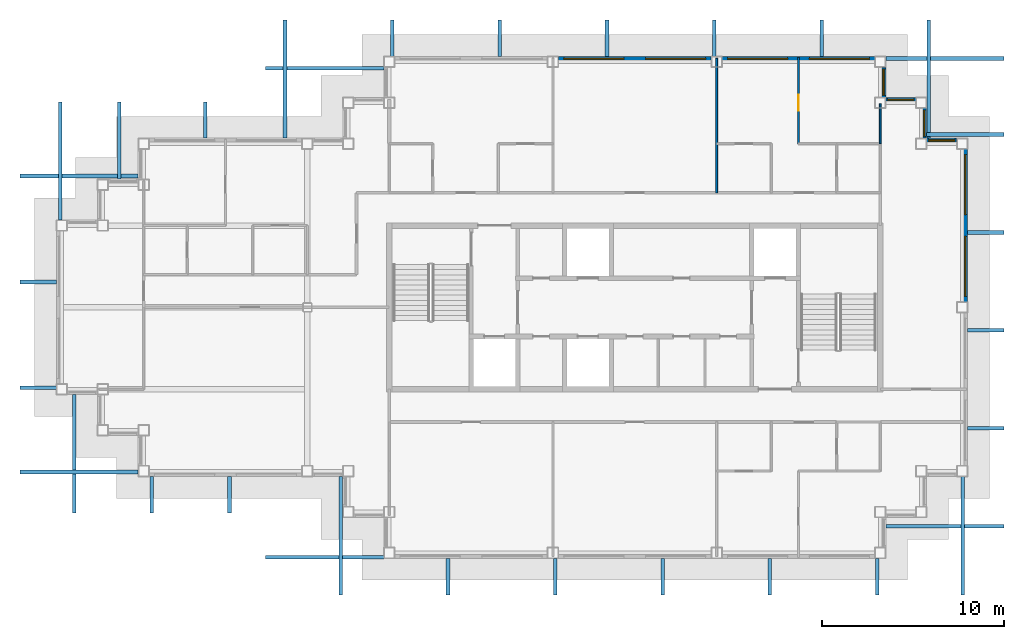
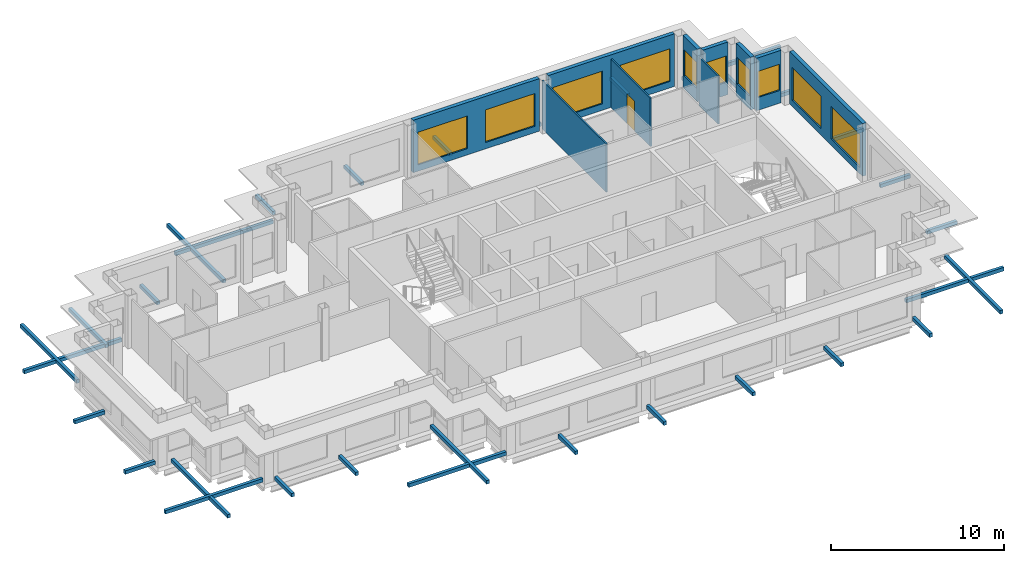
# One storey, part 6 of 11: 32 discrete accessories, 10 walls, 10 windows, 1 door, 11 openings.
"""IFC4 building model written with IfcOpenShell, lengths in metres."""

from ifc_helpers import new_model, si_unit, direction, frame, frame_2d, origin, origin_2d, place, context, subcontext, project, spatial, rectangle, extrude, material, layer, layer_set, type_object, element, fill, save


model = new_model("IFC4")

# Units and contexts
model_context = context("Model", 3, precision=1e-05, world=origin(), true_north=direction((0.0, 1.0)))
body_context = subcontext(model_context, "Body", "Model", "MODEL_VIEW")
ifc_project = project(units=[si_unit("LENGTHUNIT", "METRE"), si_unit("AREAUNIT", "SQUARE_METRE"), si_unit("VOLUMEUNIT", "CUBIC_METRE"), si_unit("PLANEANGLEUNIT", "RADIAN"), si_unit("MASSUNIT", "GRAM", prefix="KILO")], contexts=[model_context])

# Site, building, storey
site_placement = place(None, origin())
site = spatial("IfcSite", under=ifc_project, at=site_placement, CompositionType="ELEMENT")
building_placement = place(site_placement, origin())
building = spatial("IfcBuilding", under=site, at=building_placement, Name="Caravel Reach Hotel and Residences", CompositionType="ELEMENT")
storey_placement = place(building_placement, frame((0.0, 0.0, 263.800048828125)))
storey = spatial("IfcBuildingStorey", under=building, at=storey_placement, Name="L67", CompositionType="ELEMENT", Elevation=263.800048828125)

# Wall, openings, windows
ifc_material_1 = material(Name="Insulated rainscreen wall, aluminium cladding", Category="aluminium")
ifc_layer_1 = layer(ifc_material_1, 0.25)
ifc_layer_set_1 = layer_set([ifc_layer_1], Name="EW1 Tower rainscreen wall")
wall_type_1 = type_object("IfcWallType", Name="EW1 Tower rainscreen wall", PredefinedType="SOLIDWALL", material=ifc_layer_set_1)
wall_1_placement = place(storey_placement, frame((49.675048828125, 27.300048828125, 0.0), z_axis=(0.0, 0.0, 1.0), x_axis=(0.0, 1.0, 0.0)))
wall_1 = element("IfcWall", 1, at=wall_1_placement, inside=storey, type_object=wall_type_1, Name="External wall L67 E9.2", PredefinedType="SOLIDWALL", context=body_context, shape_type="SweptSolid", body=[
    extrude(rectangle(XDim=8.39990234375, YDim=0.25, at=frame_2d((4.199951171875, 0.0))), origin(), (0.0, 0.0, 1.0), 3.699951171875),
])
opening_1_placement = place(wall_1_placement, frame((0.300048828125, 0.0, 0.449951171875)))
opening_1 = element("IfcOpeningElement", 2, at=opening_1_placement, cuts=wall_1, Name="Opening WN15", PredefinedType="OPENING", context=body_context, shape_type="SweptSolid", body=[
    extrude(rectangle(XDim=3.300048828125, YDim=2.300048828125, at=frame_2d((1.64990234375, 1.14990234375))), frame((0.0, 0.135009765625, 0.0), z_axis=(0.0, -1.0, 0.0), x_axis=(1.0, 0.0, 0.0)), (0.0, 0.0, 1.0), 0.27001953125),
])
opening_2_placement = place(wall_1_placement, frame((4.800048828125, 0.0, 0.449951171875)))
opening_2 = element("IfcOpeningElement", 3, at=opening_2_placement, cuts=wall_1, Name="Opening WN15", PredefinedType="OPENING", context=body_context, shape_type="SweptSolid", body=[
    extrude(rectangle(XDim=3.300048828125, YDim=2.300048828125, at=frame_2d((1.64990234375, 1.14990234375))), frame((0.0, 0.135009765625, 0.0), z_axis=(0.0, -1.0, 0.0), x_axis=(1.0, 0.0, 0.0)), (0.0, 0.0, 1.0), 0.27001953125),
])
ifc_material_2 = material(Name="Dark low-e glazing in black aluminium frame", Category="aluminium")
window_type_1 = type_object("IfcWindowType", Name="Residence living window 3300 x 2300", PartitioningType="SINGLE_PANEL", PredefinedType="WINDOW", material=ifc_material_2)
window_1_placement = place(opening_1_placement, origin())
window_1 = element("IfcWindow", 4, at=window_1_placement, inside=storey, type_object=window_type_1, Name="Window L67 E9.2.1", OverallHeight=2.300048828125, OverallWidth=3.300048828125, PartitioningType="SINGLE_PANEL", PredefinedType="WINDOW", context=body_context, shape_type="SweptSolid", body=[
    extrude(rectangle(XDim=3.300048828125, YDim=2.300048828125, at=frame_2d((1.64990234375, 1.14990234375))), frame((0.0, 0.030029296875, 0.0), z_axis=(0.0, -1.0, 0.0), x_axis=(1.0, 0.0, 0.0)), (0.0, 0.0, 1.0), 0.06005859375),
])
fill(opening_1, window_1)
window_2_placement = place(opening_2_placement, origin())
window_2 = element("IfcWindow", 5, at=window_2_placement, inside=storey, type_object=window_type_1, Name="Window L67 E9.2.2", OverallHeight=2.300048828125, OverallWidth=3.300048828125, PartitioningType="SINGLE_PANEL", PredefinedType="WINDOW", context=body_context, shape_type="SweptSolid", body=[
    extrude(rectangle(XDim=3.300048828125, YDim=2.300048828125, at=frame_2d((1.64990234375, 1.14990234375))), frame((0.0, 0.030029296875, 0.0), z_axis=(0.0, -1.0, 0.0), x_axis=(1.0, 0.0, 0.0)), (0.0, 0.0, 1.0), 0.06005859375),
])
fill(opening_2, window_2)

# Wall, opening, window
wall_2_placement = place(storey_placement, frame((49.199951171875, 36.175048828125, 0.0), z_axis=(0.0, 0.0, 1.0), x_axis=(-1.0, 0.0, 0.0)))
wall_2 = element("IfcWall", 6, at=wall_2_placement, inside=storey, type_object=wall_type_1, Name="External wall L67 N10.1", PredefinedType="SOLIDWALL", context=body_context, shape_type="SweptSolid", body=[
    extrude(rectangle(XDim=1.64990234375, YDim=0.25, at=frame_2d((0.824951171875, 0.0))), origin(), (0.0, 0.0, 1.0), 3.699951171875),
])
opening_3_placement = place(wall_2_placement, frame((0.10009765625, 0.0, 0.89990234375)))
opening_3 = element("IfcOpeningElement", 7, at=opening_3_placement, cuts=wall_2, Name="Opening WN25", PredefinedType="OPENING", context=body_context, shape_type="SweptSolid", body=[
    extrude(rectangle(XDim=1.449951171875, YDim=1.85009765625, at=frame_2d((0.72509765625, 0.925048828125))), frame((0.0, 0.135009765625, 0.0), z_axis=(0.0, -1.0, 0.0), x_axis=(1.0, 0.0, 0.0)), (0.0, 0.0, 1.0), 0.27001953125),
])
ifc_material_3 = material(Name="Dark low-e glazing in black aluminium frame", Category="aluminium")
window_type_2 = type_object("IfcWindowType", Name="Residence bedroom window 1450 x 1850", PartitioningType="SINGLE_PANEL", PredefinedType="WINDOW", material=ifc_material_3)
window_3_placement = place(opening_3_placement, origin())
window_3 = element("IfcWindow", 8, at=window_3_placement, inside=storey, type_object=window_type_2, Name="Window L67 N10.1.1", OverallHeight=1.85009765625, OverallWidth=1.449951171875, PartitioningType="SINGLE_PANEL", PredefinedType="WINDOW", context=body_context, shape_type="SweptSolid", body=[
    extrude(rectangle(XDim=1.449951171875, YDim=1.85009765625, at=frame_2d((0.72509765625, 0.925048828125))), frame((0.0, 0.030029296875, 0.0), z_axis=(0.0, -1.0, 0.0), x_axis=(1.0, 0.0, 0.0)), (0.0, 0.0, 1.0), 0.06005859375),
])
fill(opening_3, window_3)

wall_3_placement = place(storey_placement, frame((47.425048828125, 36.300048828125, 0.0), z_axis=(0.0, 0.0, 1.0), x_axis=(0.0, 1.0, 0.0)))
wall_3 = element("IfcWall", 9, at=wall_3_placement, inside=storey, type_object=wall_type_1, Name="External wall L67 E11.1", PredefinedType="SOLIDWALL", context=body_context, shape_type="SweptSolid", body=[
    extrude(rectangle(XDim=1.64990234375, YDim=0.25, at=frame_2d((0.824951171875, 0.0))), origin(), (0.0, 0.0, 1.0), 3.699951171875),
])
opening_4_placement = place(wall_3_placement, frame((0.10009765625, 0.0, 0.89990234375)))
opening_4 = element("IfcOpeningElement", 10, at=opening_4_placement, cuts=wall_3, Name="Opening WN25", PredefinedType="OPENING", context=body_context, shape_type="SweptSolid", body=[
    extrude(rectangle(XDim=1.449951171875, YDim=1.85009765625, at=frame_2d((0.72509765625, 0.925048828125))), frame((0.0, 0.135009765625, 0.0), z_axis=(0.0, -1.0, 0.0), x_axis=(1.0, 0.0, 0.0)), (0.0, 0.0, 1.0), 0.27001953125),
])
window_4_placement = place(opening_4_placement, origin())
window_4 = element("IfcWindow", 11, at=window_4_placement, inside=storey, type_object=window_type_2, Name="Window L67 E11.1.1", OverallHeight=1.85009765625, OverallWidth=1.449951171875, PartitioningType="SINGLE_PANEL", PredefinedType="WINDOW", context=body_context, shape_type="SweptSolid", body=[
    extrude(rectangle(XDim=1.449951171875, YDim=1.85009765625, at=frame_2d((0.72509765625, 0.925048828125))), frame((0.0, 0.030029296875, 0.0), z_axis=(0.0, -1.0, 0.0), x_axis=(1.0, 0.0, 0.0)), (0.0, 0.0, 1.0), 0.06005859375),
])
fill(opening_4, window_4)

wall_4_placement = place(storey_placement, frame((46.949951171875, 38.425048828125, 0.0), z_axis=(0.0, 0.0, 1.0), x_axis=(-1.0, 0.0, 0.0)))
wall_4 = element("IfcWall", 12, at=wall_4_placement, inside=storey, type_object=wall_type_1, Name="External wall L67 N12.1", PredefinedType="SOLIDWALL", context=body_context, shape_type="SweptSolid", body=[
    extrude(rectangle(XDim=1.64990234375, YDim=0.25, at=frame_2d((0.824951171875, 0.0))), origin(), (0.0, 0.0, 1.0), 3.699951171875),
])
opening_5_placement = place(wall_4_placement, frame((0.10009765625, 0.0, 0.89990234375)))
opening_5 = element("IfcOpeningElement", 13, at=opening_5_placement, cuts=wall_4, Name="Opening WN25", PredefinedType="OPENING", context=body_context, shape_type="SweptSolid", body=[
    extrude(rectangle(XDim=1.449951171875, YDim=1.85009765625, at=frame_2d((0.72509765625, 0.925048828125))), frame((0.0, 0.135009765625, 0.0), z_axis=(0.0, -1.0, 0.0), x_axis=(1.0, 0.0, 0.0)), (0.0, 0.0, 1.0), 0.27001953125),
])
window_5_placement = place(opening_5_placement, origin())
window_5 = element("IfcWindow", 14, at=window_5_placement, inside=storey, type_object=window_type_2, Name="Window L67 N12.1.1", OverallHeight=1.85009765625, OverallWidth=1.449951171875, PartitioningType="SINGLE_PANEL", PredefinedType="WINDOW", context=body_context, shape_type="SweptSolid", body=[
    extrude(rectangle(XDim=1.449951171875, YDim=1.85009765625, at=frame_2d((0.72509765625, 0.925048828125))), frame((0.0, 0.030029296875, 0.0), z_axis=(0.0, -1.0, 0.0), x_axis=(1.0, 0.0, 0.0)), (0.0, 0.0, 1.0), 0.06005859375),
])
fill(opening_5, window_5)

wall_5_placement = place(storey_placement, frame((45.175048828125, 38.550048828125, 0.0), z_axis=(0.0, 0.0, 1.0), x_axis=(0.0, 1.0, 0.0)))
wall_5 = element("IfcWall", 15, at=wall_5_placement, inside=storey, type_object=wall_type_1, Name="External wall L67 E13.1", PredefinedType="SOLIDWALL", context=body_context, shape_type="SweptSolid", body=[
    extrude(rectangle(XDim=1.64990234375, YDim=0.25, at=frame_2d((0.824951171875, 0.0))), origin(), (0.0, 0.0, 1.0), 3.699951171875),
])
opening_6_placement = place(wall_5_placement, frame((0.10009765625, 0.0, 0.89990234375)))
opening_6 = element("IfcOpeningElement", 16, at=opening_6_placement, cuts=wall_5, Name="Opening WN25", PredefinedType="OPENING", context=body_context, shape_type="SweptSolid", body=[
    extrude(rectangle(XDim=1.449951171875, YDim=1.85009765625, at=frame_2d((0.72509765625, 0.925048828125))), frame((0.0, 0.135009765625, 0.0), z_axis=(0.0, -1.0, 0.0), x_axis=(1.0, 0.0, 0.0)), (0.0, 0.0, 1.0), 0.27001953125),
])
window_6_placement = place(opening_6_placement, origin())
window_6 = element("IfcWindow", 17, at=window_6_placement, inside=storey, type_object=window_type_2, Name="Window L67 E13.1.1", OverallHeight=1.85009765625, OverallWidth=1.449951171875, PartitioningType="SINGLE_PANEL", PredefinedType="WINDOW", context=body_context, shape_type="SweptSolid", body=[
    extrude(rectangle(XDim=1.449951171875, YDim=1.85009765625, at=frame_2d((0.72509765625, 0.925048828125))), frame((0.0, 0.030029296875, 0.0), z_axis=(0.0, -1.0, 0.0), x_axis=(1.0, 0.0, 0.0)), (0.0, 0.0, 1.0), 0.06005859375),
])
fill(opening_6, window_6)

# Wall, openings, windows
wall_6_placement = place(storey_placement, frame((44.699951171875, 40.675048828125, 0.0), z_axis=(0.0, 0.0, 1.0), x_axis=(-1.0, 0.0, 0.0)))
wall_6 = element("IfcWall", 18, at=wall_6_placement, inside=storey, type_object=wall_type_1, Name="External wall L67 N14.1", PredefinedType="SOLIDWALL", context=body_context, shape_type="SweptSolid", body=[
    extrude(rectangle(XDim=8.39990234375, YDim=0.25, at=frame_2d((4.199951171875, 0.0))), origin(), (0.0, 0.0, 1.0), 3.699951171875),
])
opening_7_placement = place(wall_6_placement, frame((0.300048828125, 0.0, 0.449951171875)))
opening_7 = element("IfcOpeningElement", 19, at=opening_7_placement, cuts=wall_6, Name="Opening WN15", PredefinedType="OPENING", context=body_context, shape_type="SweptSolid", body=[
    extrude(rectangle(XDim=3.300048828125, YDim=2.300048828125, at=frame_2d((1.64990234375, 1.14990234375))), frame((0.0, 0.135009765625, 0.0), z_axis=(0.0, -1.0, 0.0), x_axis=(1.0, 0.0, 0.0)), (0.0, 0.0, 1.0), 0.27001953125),
])
opening_8_placement = place(wall_6_placement, frame((4.800048828125, 0.0, 0.449951171875)))
opening_8 = element("IfcOpeningElement", 20, at=opening_8_placement, cuts=wall_6, Name="Opening WN15", PredefinedType="OPENING", context=body_context, shape_type="SweptSolid", body=[
    extrude(rectangle(XDim=3.300048828125, YDim=2.300048828125, at=frame_2d((1.64990234375, 1.14990234375))), frame((0.0, 0.135009765625, 0.0), z_axis=(0.0, -1.0, 0.0), x_axis=(1.0, 0.0, 0.0)), (0.0, 0.0, 1.0), 0.27001953125),
])
window_7_placement = place(opening_7_placement, origin())
window_7 = element("IfcWindow", 21, at=window_7_placement, inside=storey, type_object=window_type_1, Name="Window L67 N14.1.1", OverallHeight=2.300048828125, OverallWidth=3.300048828125, PartitioningType="SINGLE_PANEL", PredefinedType="WINDOW", context=body_context, shape_type="SweptSolid", body=[
    extrude(rectangle(XDim=3.300048828125, YDim=2.300048828125, at=frame_2d((1.64990234375, 1.14990234375))), frame((0.0, 0.030029296875, 0.0), z_axis=(0.0, -1.0, 0.0), x_axis=(1.0, 0.0, 0.0)), (0.0, 0.0, 1.0), 0.06005859375),
])
fill(opening_7, window_7)
window_8_placement = place(opening_8_placement, origin())
window_8 = element("IfcWindow", 22, at=window_8_placement, inside=storey, type_object=window_type_1, Name="Window L67 N14.1.2", OverallHeight=2.300048828125, OverallWidth=3.300048828125, PartitioningType="SINGLE_PANEL", PredefinedType="WINDOW", context=body_context, shape_type="SweptSolid", body=[
    extrude(rectangle(XDim=3.300048828125, YDim=2.300048828125, at=frame_2d((1.64990234375, 1.14990234375))), frame((0.0, 0.030029296875, 0.0), z_axis=(0.0, -1.0, 0.0), x_axis=(1.0, 0.0, 0.0)), (0.0, 0.0, 1.0), 0.06005859375),
])
fill(opening_8, window_8)

wall_7_placement = place(storey_placement, frame((35.699951171875, 40.675048828125, 0.0), z_axis=(0.0, 0.0, 1.0), x_axis=(-1.0, 0.0, 0.0)))
wall_7 = element("IfcWall", 23, at=wall_7_placement, inside=storey, type_object=wall_type_1, Name="External wall L67 N14.2", PredefinedType="SOLIDWALL", context=body_context, shape_type="SweptSolid", body=[
    extrude(rectangle(XDim=8.39990234375, YDim=0.25, at=frame_2d((4.199951171875, 0.0))), origin(), (0.0, 0.0, 1.0), 3.699951171875),
])
opening_9_placement = place(wall_7_placement, frame((0.300048828125, 0.0, 0.449951171875)))
opening_9 = element("IfcOpeningElement", 24, at=opening_9_placement, cuts=wall_7, Name="Opening WN15", PredefinedType="OPENING", context=body_context, shape_type="SweptSolid", body=[
    extrude(rectangle(XDim=3.300048828125, YDim=2.300048828125, at=frame_2d((1.64990234375, 1.14990234375))), frame((0.0, 0.135009765625, 0.0), z_axis=(0.0, -1.0, 0.0), x_axis=(1.0, 0.0, 0.0)), (0.0, 0.0, 1.0), 0.27001953125),
])
opening_10_placement = place(wall_7_placement, frame((4.800048828125, 0.0, 0.449951171875)))
opening_10 = element("IfcOpeningElement", 25, at=opening_10_placement, cuts=wall_7, Name="Opening WN15", PredefinedType="OPENING", context=body_context, shape_type="SweptSolid", body=[
    extrude(rectangle(XDim=3.300048828125, YDim=2.300048828125, at=frame_2d((1.64990234375, 1.14990234375))), frame((0.0, 0.135009765625, 0.0), z_axis=(0.0, -1.0, 0.0), x_axis=(1.0, 0.0, 0.0)), (0.0, 0.0, 1.0), 0.27001953125),
])
window_9_placement = place(opening_9_placement, origin())
window_9 = element("IfcWindow", 26, at=window_9_placement, inside=storey, type_object=window_type_1, Name="Window L67 N14.2.1", OverallHeight=2.300048828125, OverallWidth=3.300048828125, PartitioningType="SINGLE_PANEL", PredefinedType="WINDOW", context=body_context, shape_type="SweptSolid", body=[
    extrude(rectangle(XDim=3.300048828125, YDim=2.300048828125, at=frame_2d((1.64990234375, 1.14990234375))), frame((0.0, 0.030029296875, 0.0), z_axis=(0.0, -1.0, 0.0), x_axis=(1.0, 0.0, 0.0)), (0.0, 0.0, 1.0), 0.06005859375),
])
fill(opening_9, window_9)
window_10_placement = place(opening_10_placement, origin())
window_10 = element("IfcWindow", 27, at=window_10_placement, inside=storey, type_object=window_type_1, Name="Window L67 N14.2.2", OverallHeight=2.300048828125, OverallWidth=3.300048828125, PartitioningType="SINGLE_PANEL", PredefinedType="WINDOW", context=body_context, shape_type="SweptSolid", body=[
    extrude(rectangle(XDim=3.300048828125, YDim=2.300048828125, at=frame_2d((1.64990234375, 1.14990234375))), frame((0.0, 0.030029296875, 0.0), z_axis=(0.0, -1.0, 0.0), x_axis=(1.0, 0.0, 0.0)), (0.0, 0.0, 1.0), 0.06005859375),
])
fill(opening_10, window_10)

# Wall
ifc_material_4 = material(Name="Gypsum board on steel stud", Category="steel")
ifc_layer_2 = layer(ifc_material_4, 0.10009765625)
ifc_layer_set_2 = layer_set([ifc_layer_2], Name="Partition 100 mm")
wall_type_2 = type_object("IfcWallType", Name="Partition 100 mm", PredefinedType="PARTITIONING", material=ifc_layer_set_2)
wall_8_placement = place(storey_placement, frame((36.0, 33.300048828125, 0.0), z_axis=(0.0, 0.0, 1.0), x_axis=(0.0, 1.0, 0.0)))
element("IfcWall", 28, at=wall_8_placement, inside=storey, type_object=wall_type_2, Name="L67 wall w038", PredefinedType="PARTITIONING", context=body_context, shape_type="SweptSolid", body=[
    extrude(rectangle(XDim=7.389892578125, YDim=0.10009765625, at=frame_2d((3.69482421875, 0.0))), origin(), (0.0, 0.0, 1.0), 3.39990234375),
])

# Wall, opening, door
wall_9_placement = place(storey_placement, frame((40.5, 36.0, 0.0), z_axis=(0.0, 0.0, 1.0), x_axis=(0.0, 1.0, 0.0)))
wall_9 = element("IfcWall", 29, at=wall_9_placement, inside=storey, type_object=wall_type_2, Name="L67 wall w045", PredefinedType="PARTITIONING", context=body_context, shape_type="SweptSolid", body=[
    extrude(rectangle(XDim=4.739990234375, YDim=0.10009765625, at=frame_2d((2.3701171875, 0.0))), origin(), (0.0, 0.0, 1.0), 3.39990234375),
])
opening_11_placement = place(wall_9_placement, frame((1.800048828125, 0.0, 0.0)))
opening_11 = element("IfcOpeningElement", 30, at=opening_11_placement, cuts=wall_9, Name="Opening D67-024", PredefinedType="OPENING", context=body_context, shape_type="SweptSolid", body=[
    extrude(rectangle(XDim=0.89990234375, YDim=2.10009765625, at=frame_2d((0.449951171875, 1.050048828125))), frame((0.0, 0.06005859375, 0.0), z_axis=(0.0, -1.0, 0.0), x_axis=(1.0, 0.0, 0.0)), (0.0, 0.0, 1.0), 0.1201171875),
])
ifc_material_5 = material(Name="Timber and steel door leaf", Category="steel")
door_type = type_object("IfcDoorType", Name="Door 900 x 2100 timber", OperationType="SINGLE_SWING_LEFT", PredefinedType="DOOR", material=ifc_material_5)
door_placement = place(opening_11_placement, origin())
door = element("IfcDoor", 31, at=door_placement, inside=storey, type_object=door_type, Name="door D67-024", OperationType="SINGLE_SWING_LEFT", OverallHeight=2.10009765625, OverallWidth=0.89990234375, PredefinedType="DOOR", context=body_context, shape_type="SweptSolid", body=[
    extrude(rectangle(XDim=0.89990234375, YDim=2.10009765625, at=frame_2d((0.449951171875, 1.050048828125))), frame((0.0, 0.02490234375, 0.0), z_axis=(0.0, -1.0, 0.0), x_axis=(1.0, 0.0, 0.0)), (0.0, 0.0, 1.0), 0.050048828125),
])
fill(opening_11, door)

# Wall
wall_10_placement = place(storey_placement, frame((45.0, 36.0, 0.0), z_axis=(0.0, 0.0, 1.0), x_axis=(0.0, 1.0, 0.0)))
element("IfcWall", 32, at=wall_10_placement, inside=storey, type_object=wall_type_2, Name="L67 wall w047", PredefinedType="PARTITIONING", context=body_context, shape_type="SweptSolid", body=[
    extrude(rectangle(XDim=2.199951171875, YDim=0.10009765625, at=frame_2d((1.10009765625, 0.0))), origin(), (0.0, 0.0, 1.0), 3.39990234375),
])

# Discrete accessories
ifc_material_6 = material(Name="Black powder-coated aluminium", Category="aluminium")
discrete_accessory_type = type_object("IfcDiscreteAccessoryType", Name="BR1 Screen bracket", PredefinedType="BRACKET", material=ifc_material_6)
discrete_accessory_1_placement = place(storey_placement, frame((0.686767578125, 18.949951171875, 0.099853515625), z_axis=(0.0, 0.0, 1.0), x_axis=(0.0, -1.0, 0.0)))
element("IfcDiscreteAccessory", 33, at=discrete_accessory_1_placement, inside=storey, type_object=discrete_accessory_type, Name="Screen bracket L67 1.1.2", PredefinedType="BRACKET", context=body_context, shape_type="SweptSolid", body=[
    extrude(rectangle(XDim=6.5, YDim=0.199951171875, at=origin_2d()), origin(), (0.0, 0.0, 1.0), 0.25),
])
for number, where, z_axis, x_axis, name in (
    (34, (4.953369140625, 16.699951171875, 0.099853515625), (0.0, 0.0, 1.0), (0.0, -1.0, 0.0), "Screen bracket L67 1.2.2"),
    (35, (9.219970703125, 16.699951171875, 0.099853515625), (0.0, 0.0, 1.0), (0.0, -1.0, 0.0), "Screen bracket L67 1.3.2"),
):
    element("IfcDiscreteAccessory", number, at=place(storey_placement, frame(where, z_axis=z_axis, x_axis=x_axis)), inside=storey, type_object=discrete_accessory_type, Name=name, PredefinedType="BRACKET", context=body_context, shape_type="SweptSolid", body=[
        extrude(rectangle(XDim=2.0, YDim=0.199951171875, at=origin_2d()), origin(), (0.0, 0.0, 1.0), 0.25),
    ])
for number, where, z_axis, x_axis, name in (
    (36, (14.449951171875, 13.260009765625, 0.099853515625), (0.0, 0.0, 1.0), (-1.0, 0.0, 0.0), "Screen bracket L67 2.1.2"),
    (37, (15.330078125, 14.449951171875, 0.099853515625), (0.0, 0.0, 1.0), (0.0, -1.0, 0.0), "Screen bracket L67 3.1.2"),
):
    element("IfcDiscreteAccessory", number, at=place(storey_placement, frame(where, z_axis=z_axis, x_axis=x_axis)), inside=storey, type_object=discrete_accessory_type, Name=name, PredefinedType="BRACKET", context=body_context, shape_type="SweptSolid", body=[
        extrude(rectangle(XDim=6.5, YDim=0.199951171875, at=origin_2d()), origin(), (0.0, 0.0, 1.0), 0.25),
    ])
for number, where, z_axis, x_axis, name in (
    (38, (21.22998046875, 12.199951171875, 0.099853515625), (0.0, 0.0, 1.0), (0.0, -1.0, 0.0), "Screen bracket L67 3.2.2"),
    (39, (27.1298828125, 12.199951171875, 0.099853515625), (0.0, 0.0, 1.0), (0.0, -1.0, 0.0), "Screen bracket L67 3.3.2"),
    (40, (33.030029296875, 12.199951171875, 0.099853515625), (0.0, 0.0, 1.0), (0.0, -1.0, 0.0), "Screen bracket L67 3.4.2"),
    (41, (38.929931640625, 12.199951171875, 0.099853515625), (0.0, 0.0, 1.0), (0.0, -1.0, 0.0), "Screen bracket L67 3.5.2"),
    (42, (44.830078125, 12.199951171875, 0.099853515625), (0.0, 0.0, 1.0), (0.0, -1.0, 0.0), "Screen bracket L67 3.6.2"),
):
    element("IfcDiscreteAccessory", number, at=place(storey_placement, frame(where, z_axis=z_axis, x_axis=x_axis)), inside=storey, type_object=discrete_accessory_type, Name=name, PredefinedType="BRACKET", context=body_context, shape_type="SweptSolid", body=[
        extrude(rectangle(XDim=2.0, YDim=0.199951171875, at=origin_2d()), origin(), (0.0, 0.0, 1.0), 0.25),
    ])
for number, where, z_axis, x_axis, name in (
    (43, (49.530029296875, 14.449951171875, 0.099853515625), (0.0, 0.0, 1.0), (0.0, -1.0, 0.0), "Screen bracket L67 3.7.2"),
    (44, (48.550048828125, 14.96826171875, 0.099853515625), (0.0, 0.0, 1.0), (1.0, 0.0, 0.0), "Screen bracket L67 4.1.2"),
):
    element("IfcDiscreteAccessory", number, at=place(storey_placement, frame(where, z_axis=z_axis, x_axis=x_axis)), inside=storey, type_object=discrete_accessory_type, Name=name, PredefinedType="BRACKET", context=body_context, shape_type="SweptSolid", body=[
        extrude(rectangle(XDim=6.5, YDim=0.199951171875, at=origin_2d()), origin(), (0.0, 0.0, 1.0), 0.25),
    ])
for number, where, z_axis, x_axis, name in (
    (45, (50.800048828125, 20.3515625, 0.099853515625), (0.0, 0.0, 1.0), (1.0, 0.0, 0.0), "Screen bracket L67 4.2.2"),
    (46, (50.800048828125, 25.735107421875, 0.099853515625), (0.0, 0.0, 1.0), (1.0, 0.0, 0.0), "Screen bracket L67 4.3.2"),
    (47, (50.800048828125, 31.118408203125, 0.099853515625), (0.0, 0.0, 1.0), (1.0, 0.0, 0.0), "Screen bracket L67 4.4.2"),
):
    element("IfcDiscreteAccessory", number, at=place(storey_placement, frame(where, z_axis=z_axis, x_axis=x_axis)), inside=storey, type_object=discrete_accessory_type, Name=name, PredefinedType="BRACKET", context=body_context, shape_type="SweptSolid", body=[
        extrude(rectangle(XDim=2.0, YDim=0.199951171875, at=origin_2d()), origin(), (0.0, 0.0, 1.0), 0.25),
    ])
discrete_accessory_2_placement = place(storey_placement, frame((49.675048828125, 36.501708984375, 0.099853515625), z_axis=(0.0, 0.0, 1.0), x_axis=(1.0, 0.0, 0.0)))
element("IfcDiscreteAccessory", 48, at=discrete_accessory_2_placement, inside=storey, type_object=discrete_accessory_type, Name="Screen bracket L67 4.5.2", PredefinedType="BRACKET", context=body_context, shape_type="SweptSolid", body=[
    extrude(rectangle(XDim=4.25, YDim=0.199951171875, at=origin_2d()), origin(), (0.0, 0.0, 1.0), 0.25),
])
for number, where, z_axis, x_axis, name in (
    (49, (48.550048828125, 40.68505859375, 0.099853515625), (0.0, 0.0, 1.0), (1.0, 0.0, 0.0), "Screen bracket L67 4.6.2"),
    (50, (47.669921875, 39.550048828125, 0.099853515625), (0.0, 0.0, 1.0), (0.0, 1.0, 0.0), "Screen bracket L67 5.1.2"),
):
    element("IfcDiscreteAccessory", number, at=place(storey_placement, frame(where, z_axis=z_axis, x_axis=x_axis)), inside=storey, type_object=discrete_accessory_type, Name=name, PredefinedType="BRACKET", context=body_context, shape_type="SweptSolid", body=[
        extrude(rectangle(XDim=6.5, YDim=0.199951171875, at=origin_2d()), origin(), (0.0, 0.0, 1.0), 0.25),
    ])
for number, where, z_axis, x_axis, name in (
    (51, (41.77001953125, 41.800048828125, 0.099853515625), (0.0, 0.0, 1.0), (0.0, 1.0, 0.0), "Screen bracket L67 5.2.2"),
    (52, (35.8701171875, 41.800048828125, 0.099853515625), (0.0, 0.0, 1.0), (0.0, 1.0, 0.0), "Screen bracket L67 5.3.2"),
    (53, (29.969970703125, 41.800048828125, 0.099853515625), (0.0, 0.0, 1.0), (0.0, 1.0, 0.0), "Screen bracket L67 5.4.2"),
    (54, (24.070068359375, 41.800048828125, 0.099853515625), (0.0, 0.0, 1.0), (0.0, 1.0, 0.0), "Screen bracket L67 5.5.2"),
    (55, (18.169921875, 41.800048828125, 0.099853515625), (0.0, 0.0, 1.0), (0.0, 1.0, 0.0), "Screen bracket L67 5.6.2"),
):
    element("IfcDiscreteAccessory", number, at=place(storey_placement, frame(where, z_axis=z_axis, x_axis=x_axis)), inside=storey, type_object=discrete_accessory_type, Name=name, PredefinedType="BRACKET", context=body_context, shape_type="SweptSolid", body=[
        extrude(rectangle(XDim=2.0, YDim=0.199951171875, at=origin_2d()), origin(), (0.0, 0.0, 1.0), 0.25),
    ])
for number, where, z_axis, x_axis, name in (
    (56, (12.27001953125, 39.550048828125, 0.099853515625), (0.0, 0.0, 1.0), (0.0, 1.0, 0.0), "Screen bracket L67 5.7.2"),
    (57, (14.449951171875, 40.139892578125, 0.099853515625), (0.0, 0.0, 1.0), (-1.0, 0.0, 0.0), "Screen bracket L67 6.1.2"),
):
    element("IfcDiscreteAccessory", number, at=place(storey_placement, frame(where, z_axis=z_axis, x_axis=x_axis)), inside=storey, type_object=discrete_accessory_type, Name=name, PredefinedType="BRACKET", context=body_context, shape_type="SweptSolid", body=[
        extrude(rectangle(XDim=6.5, YDim=0.199951171875, at=origin_2d()), origin(), (0.0, 0.0, 1.0), 0.25),
    ])
discrete_accessory_3_placement = place(storey_placement, frame((7.88671875, 37.300048828125, 0.099853515625), z_axis=(0.0, 0.0, 1.0), x_axis=(0.0, 1.0, 0.0)))
element("IfcDiscreteAccessory", 58, at=discrete_accessory_3_placement, inside=storey, type_object=discrete_accessory_type, Name="Screen bracket L67 7.1.2", PredefinedType="BRACKET", context=body_context, shape_type="SweptSolid", body=[
    extrude(rectangle(XDim=2.0, YDim=0.199951171875, at=origin_2d()), origin(), (0.0, 0.0, 1.0), 0.25),
])
discrete_accessory_4_placement = place(storey_placement, frame((3.1533203125, 36.175048828125, 0.099853515625), z_axis=(0.0, 0.0, 1.0), x_axis=(0.0, 1.0, 0.0)))
element("IfcDiscreteAccessory", 59, at=discrete_accessory_4_placement, inside=storey, type_object=discrete_accessory_type, Name="Screen bracket L67 7.2.2", PredefinedType="BRACKET", context=body_context, shape_type="SweptSolid", body=[
    extrude(rectangle(XDim=4.25, YDim=0.199951171875, at=origin_2d()), origin(), (0.0, 0.0, 1.0), 0.25),
])
for number, where, z_axis, x_axis, name in (
    (60, (-0.080078125, 35.050048828125, 0.099853515625), (0.0, 0.0, 1.0), (0.0, 1.0, 0.0), "Screen bracket L67 7.3.2"),
    (61, (0.949951171875, 34.222412109375, 0.099853515625), (0.0, 0.0, 1.0), (-1.0, 0.0, 0.0), "Screen bracket L67 8.1.2"),
):
    element("IfcDiscreteAccessory", number, at=place(storey_placement, frame(where, z_axis=z_axis, x_axis=x_axis)), inside=storey, type_object=discrete_accessory_type, Name=name, PredefinedType="BRACKET", context=body_context, shape_type="SweptSolid", body=[
        extrude(rectangle(XDim=6.5, YDim=0.199951171875, at=origin_2d()), origin(), (0.0, 0.0, 1.0), 0.25),
    ])
for number, where, z_axis, x_axis, name in (
    (62, (-1.300048828125, 28.3974609375, 0.099853515625), (0.0, 0.0, 1.0), (-1.0, 0.0, 0.0), "Screen bracket L67 8.2.2"),
    (63, (-1.300048828125, 22.572509765625, 0.099853515625), (0.0, 0.0, 1.0), (-1.0, 0.0, 0.0), "Screen bracket L67 8.3.2"),
):
    element("IfcDiscreteAccessory", number, at=place(storey_placement, frame(where, z_axis=z_axis, x_axis=x_axis)), inside=storey, type_object=discrete_accessory_type, Name=name, PredefinedType="BRACKET", context=body_context, shape_type="SweptSolid", body=[
        extrude(rectangle(XDim=2.0, YDim=0.199951171875, at=origin_2d()), origin(), (0.0, 0.0, 1.0), 0.25),
    ])
discrete_accessory_5_placement = place(storey_placement, frame((0.949951171875, 17.947509765625, 0.099853515625), z_axis=(0.0, 0.0, 1.0), x_axis=(-1.0, 0.0, 0.0)))
element("IfcDiscreteAccessory", 64, at=discrete_accessory_5_placement, inside=storey, type_object=discrete_accessory_type, Name="Screen bracket L67 8.4.2", PredefinedType="BRACKET", context=body_context, shape_type="SweptSolid", body=[
    extrude(rectangle(XDim=6.5, YDim=0.199951171875, at=origin_2d()), origin(), (0.0, 0.0, 1.0), 0.25),
])

save(model, "model.ifc")
